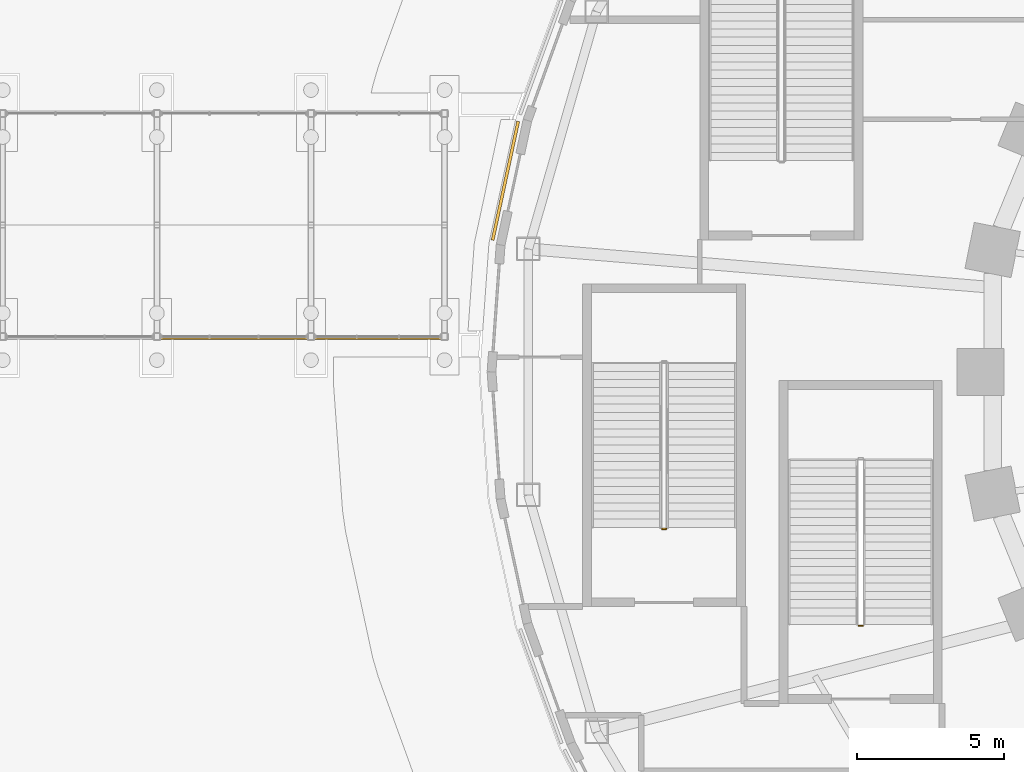
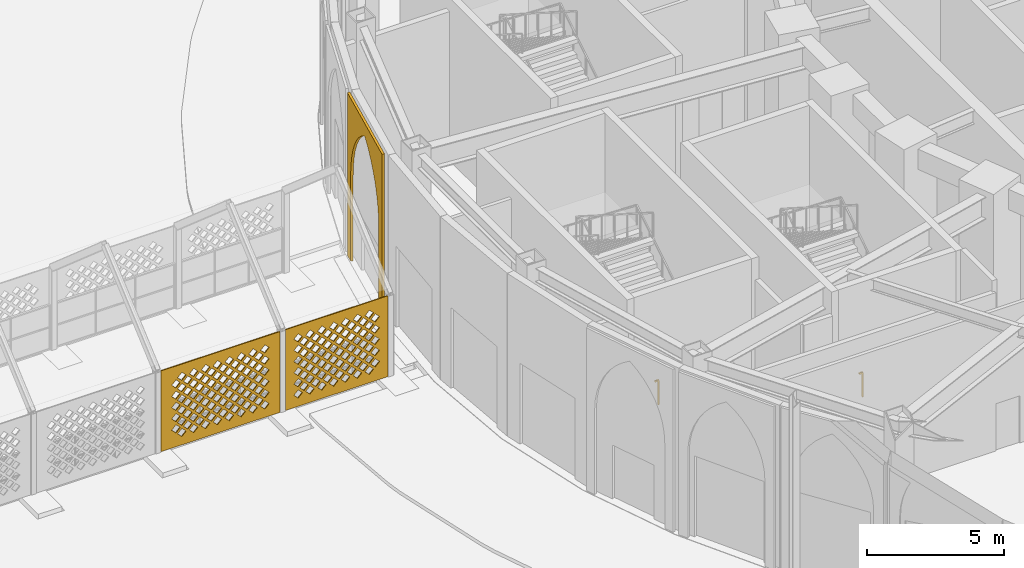
# One storey, part 64 of 79: 3 coverings, 2 railings.
"""IFC4 building model written with IfcOpenShell, lengths in metres."""

from ifc_helpers import new_model, si_unit, direction, frame, origin, origin_2d, place, context, subcontext, project, spatial, polyline, rectangle, outline, extrude, material, layer, layer_set, type_object, element, save


model = new_model("IFC4")

# Units and contexts
model_context = context("Model", 3, precision=1e-05, world=origin(), true_north=direction((0.0, 1.0)))
body_context = subcontext(model_context, "Body", "Model", "MODEL_VIEW")
ifc_project = project(units=[si_unit("LENGTHUNIT", "METRE"), si_unit("AREAUNIT", "SQUARE_METRE"), si_unit("VOLUMEUNIT", "CUBIC_METRE"), si_unit("PLANEANGLEUNIT", "RADIAN"), si_unit("MASSUNIT", "GRAM", prefix="KILO")], contexts=[model_context])

# Site, building, storey
site_placement = place(None, origin())
site = spatial("IfcSite", under=ifc_project, at=site_placement, CompositionType="ELEMENT")
building_placement = place(site_placement, origin())
building = spatial("IfcBuilding", under=site, at=building_placement, Name="Noorbagh Ring Tower", CompositionType="ELEMENT")
storey_placement = place(building_placement, origin())
storey = spatial("IfcBuildingStorey", under=building, at=storey_placement, Name="L00", CompositionType="ELEMENT", Elevation=0.0)

# Coverings
ifc_material_1 = material(Name="Red sandstone jali", Category="masonry")
ifc_layer_1 = layer(ifc_material_1, 0.0400390625)
ifc_layer_set_1 = layer_set([ifc_layer_1], Name="Red sandstone jali")
covering_type_1 = type_object("IfcCoveringType", Name="AR-JALI", PredefinedType="USERDEFINED", material=ifc_layer_set_1)
covering_1_placement = place(storey_placement, frame((-62.875, 1.110107421875, 0.0), z_axis=(0.0, -1.0, 0.0), x_axis=(1.0, 0.0, 0.0)))
element("IfcCovering", 1, at=covering_1_placement, inside=storey, type_object=covering_type_1, Name="Jali screen", ObjectType="SCREEN", PredefinedType="USERDEFINED", context=body_context, shape_type="SweptSolid", body=[
    extrude(outline(polyline([(0.0, 0.0), (5.0, 0.0), (5.0, 3.60009765625), (0.0, 3.60009765625), (0.0, 0.0)]), holes=[polyline([(0.695068359375, 0.550048828125), (0.875, 0.3701171875), (1.054931640625, 0.550048828125), (0.875, 0.72998046875), (0.695068359375, 0.550048828125)]), polyline([(1.195068359375, 0.550048828125), (1.375, 0.3701171875), (1.554931640625, 0.550048828125), (1.375, 0.72998046875), (1.195068359375, 0.550048828125)]), polyline([(1.695068359375, 0.550048828125), (1.875, 0.3701171875), (2.054931640625, 0.550048828125), (1.875, 0.72998046875), (1.695068359375, 0.550048828125)]), polyline([(2.195068359375, 0.550048828125), (2.375, 0.3701171875), (2.554931640625, 0.550048828125), (2.375, 0.72998046875), (2.195068359375, 0.550048828125)]), polyline([(2.695068359375, 0.550048828125), (2.875, 0.3701171875), (3.054931640625, 0.550048828125), (2.875, 0.72998046875), (2.695068359375, 0.550048828125)]), polyline([(3.195068359375, 0.550048828125), (3.375, 0.3701171875), (3.554931640625, 0.550048828125), (3.375, 0.72998046875), (3.195068359375, 0.550048828125)]), polyline([(3.695068359375, 0.550048828125), (3.875, 0.3701171875), (4.054931640625, 0.550048828125), (3.875, 0.72998046875), (3.695068359375, 0.550048828125)]), polyline([(4.195068359375, 0.550048828125), (4.375, 0.3701171875), (4.554931640625, 0.550048828125), (4.375, 0.72998046875), (4.195068359375, 0.550048828125)]), polyline([(0.445068359375, 0.800048828125), (0.625, 0.6201171875), (0.804931640625, 0.800048828125), (0.625, 0.97998046875), (0.445068359375, 0.800048828125)]), polyline([(0.945068359375, 0.800048828125), (1.125, 0.6201171875), (1.304931640625, 0.800048828125), (1.125, 0.97998046875), (0.945068359375, 0.800048828125)]), polyline([(1.445068359375, 0.800048828125), (1.625, 0.6201171875), (1.804931640625, 0.800048828125), (1.625, 0.97998046875), (1.445068359375, 0.800048828125)]), polyline([(1.945068359375, 0.800048828125), (2.125, 0.6201171875), (2.304931640625, 0.800048828125), (2.125, 0.97998046875), (1.945068359375, 0.800048828125)]), polyline([(2.445068359375, 0.800048828125), (2.625, 0.6201171875), (2.804931640625, 0.800048828125), (2.625, 0.97998046875), (2.445068359375, 0.800048828125)]), polyline([(2.945068359375, 0.800048828125), (3.125, 0.6201171875), (3.304931640625, 0.800048828125), (3.125, 0.97998046875), (2.945068359375, 0.800048828125)]), polyline([(3.445068359375, 0.800048828125), (3.625, 0.6201171875), (3.804931640625, 0.800048828125), (3.625, 0.97998046875), (3.445068359375, 0.800048828125)]), polyline([(3.945068359375, 0.800048828125), (4.125, 0.6201171875), (4.304931640625, 0.800048828125), (4.125, 0.97998046875), (3.945068359375, 0.800048828125)]), polyline([(0.695068359375, 1.050048828125), (0.875, 0.8701171875), (1.054931640625, 1.050048828125), (0.875, 1.22998046875), (0.695068359375, 1.050048828125)]), polyline([(1.195068359375, 1.050048828125), (1.375, 0.8701171875), (1.554931640625, 1.050048828125), (1.375, 1.22998046875), (1.195068359375, 1.050048828125)]), polyline([(1.695068359375, 1.050048828125), (1.875, 0.8701171875), (2.054931640625, 1.050048828125), (1.875, 1.22998046875), (1.695068359375, 1.050048828125)]), polyline([(2.195068359375, 1.050048828125), (2.375, 0.8701171875), (2.554931640625, 1.050048828125), (2.375, 1.22998046875), (2.195068359375, 1.050048828125)]), polyline([(2.695068359375, 1.050048828125), (2.875, 0.8701171875), (3.054931640625, 1.050048828125), (2.875, 1.22998046875), (2.695068359375, 1.050048828125)]), polyline([(3.195068359375, 1.050048828125), (3.375, 0.8701171875), (3.554931640625, 1.050048828125), (3.375, 1.22998046875), (3.195068359375, 1.050048828125)]), polyline([(3.695068359375, 1.050048828125), (3.875, 0.8701171875), (4.054931640625, 1.050048828125), (3.875, 1.22998046875), (3.695068359375, 1.050048828125)]), polyline([(4.195068359375, 1.050048828125), (4.375, 0.8701171875), (4.554931640625, 1.050048828125), (4.375, 1.22998046875), (4.195068359375, 1.050048828125)]), polyline([(0.445068359375, 1.300048828125), (0.625, 1.1201171875), (0.804931640625, 1.300048828125), (0.625, 1.47998046875), (0.445068359375, 1.300048828125)]), polyline([(0.945068359375, 1.300048828125), (1.125, 1.1201171875), (1.304931640625, 1.300048828125), (1.125, 1.47998046875), (0.945068359375, 1.300048828125)]), polyline([(1.445068359375, 1.300048828125), (1.625, 1.1201171875), (1.804931640625, 1.300048828125), (1.625, 1.47998046875), (1.445068359375, 1.300048828125)]), polyline([(1.945068359375, 1.300048828125), (2.125, 1.1201171875), (2.304931640625, 1.300048828125), (2.125, 1.47998046875), (1.945068359375, 1.300048828125)]), polyline([(2.445068359375, 1.300048828125), (2.625, 1.1201171875), (2.804931640625, 1.300048828125), (2.625, 1.47998046875), (2.445068359375, 1.300048828125)]), polyline([(2.945068359375, 1.300048828125), (3.125, 1.1201171875), (3.304931640625, 1.300048828125), (3.125, 1.47998046875), (2.945068359375, 1.300048828125)]), polyline([(3.445068359375, 1.300048828125), (3.625, 1.1201171875), (3.804931640625, 1.300048828125), (3.625, 1.47998046875), (3.445068359375, 1.300048828125)]), polyline([(3.945068359375, 1.300048828125), (4.125, 1.1201171875), (4.304931640625, 1.300048828125), (4.125, 1.47998046875), (3.945068359375, 1.300048828125)]), polyline([(0.695068359375, 1.550048828125), (0.875, 1.3701171875), (1.054931640625, 1.550048828125), (0.875, 1.72998046875), (0.695068359375, 1.550048828125)]), polyline([(1.195068359375, 1.550048828125), (1.375, 1.3701171875), (1.554931640625, 1.550048828125), (1.375, 1.72998046875), (1.195068359375, 1.550048828125)]), polyline([(1.695068359375, 1.550048828125), (1.875, 1.3701171875), (2.054931640625, 1.550048828125), (1.875, 1.72998046875), (1.695068359375, 1.550048828125)]), polyline([(2.195068359375, 1.550048828125), (2.375, 1.3701171875), (2.554931640625, 1.550048828125), (2.375, 1.72998046875), (2.195068359375, 1.550048828125)]), polyline([(2.695068359375, 1.550048828125), (2.875, 1.3701171875), (3.054931640625, 1.550048828125), (2.875, 1.72998046875), (2.695068359375, 1.550048828125)]), polyline([(3.195068359375, 1.550048828125), (3.375, 1.3701171875), (3.554931640625, 1.550048828125), (3.375, 1.72998046875), (3.195068359375, 1.550048828125)]), polyline([(3.695068359375, 1.550048828125), (3.875, 1.3701171875), (4.054931640625, 1.550048828125), (3.875, 1.72998046875), (3.695068359375, 1.550048828125)]), polyline([(4.195068359375, 1.550048828125), (4.375, 1.3701171875), (4.554931640625, 1.550048828125), (4.375, 1.72998046875), (4.195068359375, 1.550048828125)]), polyline([(0.445068359375, 1.800048828125), (0.625, 1.6201171875), (0.804931640625, 1.800048828125), (0.625, 1.97998046875), (0.445068359375, 1.800048828125)]), polyline([(0.945068359375, 1.800048828125), (1.125, 1.6201171875), (1.304931640625, 1.800048828125), (1.125, 1.97998046875), (0.945068359375, 1.800048828125)]), polyline([(1.445068359375, 1.800048828125), (1.625, 1.6201171875), (1.804931640625, 1.800048828125), (1.625, 1.97998046875), (1.445068359375, 1.800048828125)]), polyline([(1.945068359375, 1.800048828125), (2.125, 1.6201171875), (2.304931640625, 1.800048828125), (2.125, 1.97998046875), (1.945068359375, 1.800048828125)]), polyline([(2.445068359375, 1.800048828125), (2.625, 1.6201171875), (2.804931640625, 1.800048828125), (2.625, 1.97998046875), (2.445068359375, 1.800048828125)]), polyline([(2.945068359375, 1.800048828125), (3.125, 1.6201171875), (3.304931640625, 1.800048828125), (3.125, 1.97998046875), (2.945068359375, 1.800048828125)]), polyline([(3.445068359375, 1.800048828125), (3.625, 1.6201171875), (3.804931640625, 1.800048828125), (3.625, 1.97998046875), (3.445068359375, 1.800048828125)]), polyline([(3.945068359375, 1.800048828125), (4.125, 1.6201171875), (4.304931640625, 1.800048828125), (4.125, 1.97998046875), (3.945068359375, 1.800048828125)]), polyline([(0.695068359375, 2.050048828125), (0.875, 1.8701171875), (1.054931640625, 2.050048828125), (0.875, 2.22998046875), (0.695068359375, 2.050048828125)]), polyline([(1.195068359375, 2.050048828125), (1.375, 1.8701171875), (1.554931640625, 2.050048828125), (1.375, 2.22998046875), (1.195068359375, 2.050048828125)]), polyline([(1.695068359375, 2.050048828125), (1.875, 1.8701171875), (2.054931640625, 2.050048828125), (1.875, 2.22998046875), (1.695068359375, 2.050048828125)]), polyline([(2.195068359375, 2.050048828125), (2.375, 1.8701171875), (2.554931640625, 2.050048828125), (2.375, 2.22998046875), (2.195068359375, 2.050048828125)]), polyline([(2.695068359375, 2.050048828125), (2.875, 1.8701171875), (3.054931640625, 2.050048828125), (2.875, 2.22998046875), (2.695068359375, 2.050048828125)]), polyline([(3.195068359375, 2.050048828125), (3.375, 1.8701171875), (3.554931640625, 2.050048828125), (3.375, 2.22998046875), (3.195068359375, 2.050048828125)]), polyline([(3.695068359375, 2.050048828125), (3.875, 1.8701171875), (4.054931640625, 2.050048828125), (3.875, 2.22998046875), (3.695068359375, 2.050048828125)]), polyline([(4.195068359375, 2.050048828125), (4.375, 1.8701171875), (4.554931640625, 2.050048828125), (4.375, 2.22998046875), (4.195068359375, 2.050048828125)]), polyline([(0.445068359375, 2.300048828125), (0.625, 2.1201171875), (0.804931640625, 2.300048828125), (0.625, 2.47998046875), (0.445068359375, 2.300048828125)]), polyline([(0.945068359375, 2.300048828125), (1.125, 2.1201171875), (1.304931640625, 2.300048828125), (1.125, 2.47998046875), (0.945068359375, 2.300048828125)]), polyline([(1.445068359375, 2.300048828125), (1.625, 2.1201171875), (1.804931640625, 2.300048828125), (1.625, 2.47998046875), (1.445068359375, 2.300048828125)]), polyline([(1.945068359375, 2.300048828125), (2.125, 2.1201171875), (2.304931640625, 2.300048828125), (2.125, 2.47998046875), (1.945068359375, 2.300048828125)]), polyline([(2.445068359375, 2.300048828125), (2.625, 2.1201171875), (2.804931640625, 2.300048828125), (2.625, 2.47998046875), (2.445068359375, 2.300048828125)]), polyline([(2.945068359375, 2.300048828125), (3.125, 2.1201171875), (3.304931640625, 2.300048828125), (3.125, 2.47998046875), (2.945068359375, 2.300048828125)]), polyline([(3.445068359375, 2.300048828125), (3.625, 2.1201171875), (3.804931640625, 2.300048828125), (3.625, 2.47998046875), (3.445068359375, 2.300048828125)]), polyline([(3.945068359375, 2.300048828125), (4.125, 2.1201171875), (4.304931640625, 2.300048828125), (4.125, 2.47998046875), (3.945068359375, 2.300048828125)]), polyline([(0.695068359375, 2.550048828125), (0.875, 2.3701171875), (1.054931640625, 2.550048828125), (0.875, 2.72998046875), (0.695068359375, 2.550048828125)]), polyline([(1.195068359375, 2.550048828125), (1.375, 2.3701171875), (1.554931640625, 2.550048828125), (1.375, 2.72998046875), (1.195068359375, 2.550048828125)]), polyline([(1.695068359375, 2.550048828125), (1.875, 2.3701171875), (2.054931640625, 2.550048828125), (1.875, 2.72998046875), (1.695068359375, 2.550048828125)]), polyline([(2.195068359375, 2.550048828125), (2.375, 2.3701171875), (2.554931640625, 2.550048828125), (2.375, 2.72998046875), (2.195068359375, 2.550048828125)]), polyline([(2.695068359375, 2.550048828125), (2.875, 2.3701171875), (3.054931640625, 2.550048828125), (2.875, 2.72998046875), (2.695068359375, 2.550048828125)]), polyline([(3.195068359375, 2.550048828125), (3.375, 2.3701171875), (3.554931640625, 2.550048828125), (3.375, 2.72998046875), (3.195068359375, 2.550048828125)]), polyline([(3.695068359375, 2.550048828125), (3.875, 2.3701171875), (4.054931640625, 2.550048828125), (3.875, 2.72998046875), (3.695068359375, 2.550048828125)]), polyline([(4.195068359375, 2.550048828125), (4.375, 2.3701171875), (4.554931640625, 2.550048828125), (4.375, 2.72998046875), (4.195068359375, 2.550048828125)]), polyline([(0.445068359375, 2.800048828125), (0.625, 2.6201171875), (0.804931640625, 2.800048828125), (0.625, 2.97998046875), (0.445068359375, 2.800048828125)]), polyline([(0.945068359375, 2.800048828125), (1.125, 2.6201171875), (1.304931640625, 2.800048828125), (1.125, 2.97998046875), (0.945068359375, 2.800048828125)]), polyline([(1.445068359375, 2.800048828125), (1.625, 2.6201171875), (1.804931640625, 2.800048828125), (1.625, 2.97998046875), (1.445068359375, 2.800048828125)]), polyline([(1.945068359375, 2.800048828125), (2.125, 2.6201171875), (2.304931640625, 2.800048828125), (2.125, 2.97998046875), (1.945068359375, 2.800048828125)]), polyline([(2.445068359375, 2.800048828125), (2.625, 2.6201171875), (2.804931640625, 2.800048828125), (2.625, 2.97998046875), (2.445068359375, 2.800048828125)]), polyline([(2.945068359375, 2.800048828125), (3.125, 2.6201171875), (3.304931640625, 2.800048828125), (3.125, 2.97998046875), (2.945068359375, 2.800048828125)]), polyline([(3.445068359375, 2.800048828125), (3.625, 2.6201171875), (3.804931640625, 2.800048828125), (3.625, 2.97998046875), (3.445068359375, 2.800048828125)]), polyline([(3.945068359375, 2.800048828125), (4.125, 2.6201171875), (4.304931640625, 2.800048828125), (4.125, 2.97998046875), (3.945068359375, 2.800048828125)]), polyline([(0.695068359375, 3.050048828125), (0.875, 2.8701171875), (1.054931640625, 3.050048828125), (0.875, 3.22998046875), (0.695068359375, 3.050048828125)]), polyline([(1.195068359375, 3.050048828125), (1.375, 2.8701171875), (1.554931640625, 3.050048828125), (1.375, 3.22998046875), (1.195068359375, 3.050048828125)]), polyline([(1.695068359375, 3.050048828125), (1.875, 2.8701171875), (2.054931640625, 3.050048828125), (1.875, 3.22998046875), (1.695068359375, 3.050048828125)]), polyline([(2.195068359375, 3.050048828125), (2.375, 2.8701171875), (2.554931640625, 3.050048828125), (2.375, 3.22998046875), (2.195068359375, 3.050048828125)]), polyline([(2.695068359375, 3.050048828125), (2.875, 2.8701171875), (3.054931640625, 3.050048828125), (2.875, 3.22998046875), (2.695068359375, 3.050048828125)]), polyline([(3.195068359375, 3.050048828125), (3.375, 2.8701171875), (3.554931640625, 3.050048828125), (3.375, 3.22998046875), (3.195068359375, 3.050048828125)]), polyline([(3.695068359375, 3.050048828125), (3.875, 2.8701171875), (4.054931640625, 3.050048828125), (3.875, 3.22998046875), (3.695068359375, 3.050048828125)]), polyline([(4.195068359375, 3.050048828125), (4.375, 2.8701171875), (4.554931640625, 3.050048828125), (4.375, 3.22998046875), (4.195068359375, 3.050048828125)])]), origin(), (0.0, 0.0, -1.0), 0.0400390625),
])
covering_2_placement = place(storey_placement, frame((-57.625, 1.110107421875, 0.0), z_axis=(0.0, -1.0, 0.0), x_axis=(1.0, 0.0, 0.0)))
element("IfcCovering", 2, at=covering_2_placement, inside=storey, type_object=covering_type_1, Name="Jali screen", ObjectType="SCREEN", PredefinedType="USERDEFINED", context=body_context, shape_type="SweptSolid", body=[
    extrude(outline(polyline([(0.0, 0.0), (4.300048828125, 0.0), (4.300048828125, 3.60009765625), (0.0, 3.60009765625), (0.0, 0.0)]), holes=[polyline([(0.344970703125, 0.550048828125), (0.52490234375, 0.3701171875), (0.705078125, 0.550048828125), (0.52490234375, 0.72998046875), (0.344970703125, 0.550048828125)]), polyline([(0.844970703125, 0.550048828125), (1.02490234375, 0.3701171875), (1.205078125, 0.550048828125), (1.02490234375, 0.72998046875), (0.844970703125, 0.550048828125)]), polyline([(1.344970703125, 0.550048828125), (1.52490234375, 0.3701171875), (1.705078125, 0.550048828125), (1.52490234375, 0.72998046875), (1.344970703125, 0.550048828125)]), polyline([(1.844970703125, 0.550048828125), (2.02490234375, 0.3701171875), (2.205078125, 0.550048828125), (2.02490234375, 0.72998046875), (1.844970703125, 0.550048828125)]), polyline([(2.344970703125, 0.550048828125), (2.52490234375, 0.3701171875), (2.705078125, 0.550048828125), (2.52490234375, 0.72998046875), (2.344970703125, 0.550048828125)]), polyline([(2.844970703125, 0.550048828125), (3.02490234375, 0.3701171875), (3.205078125, 0.550048828125), (3.02490234375, 0.72998046875), (2.844970703125, 0.550048828125)]), polyline([(3.344970703125, 0.550048828125), (3.52490234375, 0.3701171875), (3.705078125, 0.550048828125), (3.52490234375, 0.72998046875), (3.344970703125, 0.550048828125)]), polyline([(0.594970703125, 0.800048828125), (0.77490234375, 0.6201171875), (0.955078125, 0.800048828125), (0.77490234375, 0.97998046875), (0.594970703125, 0.800048828125)]), polyline([(1.094970703125, 0.800048828125), (1.27490234375, 0.6201171875), (1.455078125, 0.800048828125), (1.27490234375, 0.97998046875), (1.094970703125, 0.800048828125)]), polyline([(1.594970703125, 0.800048828125), (1.77490234375, 0.6201171875), (1.955078125, 0.800048828125), (1.77490234375, 0.97998046875), (1.594970703125, 0.800048828125)]), polyline([(2.094970703125, 0.800048828125), (2.27490234375, 0.6201171875), (2.455078125, 0.800048828125), (2.27490234375, 0.97998046875), (2.094970703125, 0.800048828125)]), polyline([(2.594970703125, 0.800048828125), (2.77490234375, 0.6201171875), (2.955078125, 0.800048828125), (2.77490234375, 0.97998046875), (2.594970703125, 0.800048828125)]), polyline([(3.094970703125, 0.800048828125), (3.27490234375, 0.6201171875), (3.455078125, 0.800048828125), (3.27490234375, 0.97998046875), (3.094970703125, 0.800048828125)]), polyline([(3.594970703125, 0.800048828125), (3.77490234375, 0.6201171875), (3.955078125, 0.800048828125), (3.77490234375, 0.97998046875), (3.594970703125, 0.800048828125)]), polyline([(0.344970703125, 1.050048828125), (0.52490234375, 0.8701171875), (0.705078125, 1.050048828125), (0.52490234375, 1.22998046875), (0.344970703125, 1.050048828125)]), polyline([(0.844970703125, 1.050048828125), (1.02490234375, 0.8701171875), (1.205078125, 1.050048828125), (1.02490234375, 1.22998046875), (0.844970703125, 1.050048828125)]), polyline([(1.344970703125, 1.050048828125), (1.52490234375, 0.8701171875), (1.705078125, 1.050048828125), (1.52490234375, 1.22998046875), (1.344970703125, 1.050048828125)]), polyline([(1.844970703125, 1.050048828125), (2.02490234375, 0.8701171875), (2.205078125, 1.050048828125), (2.02490234375, 1.22998046875), (1.844970703125, 1.050048828125)]), polyline([(2.344970703125, 1.050048828125), (2.52490234375, 0.8701171875), (2.705078125, 1.050048828125), (2.52490234375, 1.22998046875), (2.344970703125, 1.050048828125)]), polyline([(2.844970703125, 1.050048828125), (3.02490234375, 0.8701171875), (3.205078125, 1.050048828125), (3.02490234375, 1.22998046875), (2.844970703125, 1.050048828125)]), polyline([(3.344970703125, 1.050048828125), (3.52490234375, 0.8701171875), (3.705078125, 1.050048828125), (3.52490234375, 1.22998046875), (3.344970703125, 1.050048828125)]), polyline([(0.594970703125, 1.300048828125), (0.77490234375, 1.1201171875), (0.955078125, 1.300048828125), (0.77490234375, 1.47998046875), (0.594970703125, 1.300048828125)]), polyline([(1.094970703125, 1.300048828125), (1.27490234375, 1.1201171875), (1.455078125, 1.300048828125), (1.27490234375, 1.47998046875), (1.094970703125, 1.300048828125)]), polyline([(1.594970703125, 1.300048828125), (1.77490234375, 1.1201171875), (1.955078125, 1.300048828125), (1.77490234375, 1.47998046875), (1.594970703125, 1.300048828125)]), polyline([(2.094970703125, 1.300048828125), (2.27490234375, 1.1201171875), (2.455078125, 1.300048828125), (2.27490234375, 1.47998046875), (2.094970703125, 1.300048828125)]), polyline([(2.594970703125, 1.300048828125), (2.77490234375, 1.1201171875), (2.955078125, 1.300048828125), (2.77490234375, 1.47998046875), (2.594970703125, 1.300048828125)]), polyline([(3.094970703125, 1.300048828125), (3.27490234375, 1.1201171875), (3.455078125, 1.300048828125), (3.27490234375, 1.47998046875), (3.094970703125, 1.300048828125)]), polyline([(3.594970703125, 1.300048828125), (3.77490234375, 1.1201171875), (3.955078125, 1.300048828125), (3.77490234375, 1.47998046875), (3.594970703125, 1.300048828125)]), polyline([(0.344970703125, 1.550048828125), (0.52490234375, 1.3701171875), (0.705078125, 1.550048828125), (0.52490234375, 1.72998046875), (0.344970703125, 1.550048828125)]), polyline([(0.844970703125, 1.550048828125), (1.02490234375, 1.3701171875), (1.205078125, 1.550048828125), (1.02490234375, 1.72998046875), (0.844970703125, 1.550048828125)]), polyline([(1.344970703125, 1.550048828125), (1.52490234375, 1.3701171875), (1.705078125, 1.550048828125), (1.52490234375, 1.72998046875), (1.344970703125, 1.550048828125)]), polyline([(1.844970703125, 1.550048828125), (2.02490234375, 1.3701171875), (2.205078125, 1.550048828125), (2.02490234375, 1.72998046875), (1.844970703125, 1.550048828125)]), polyline([(2.344970703125, 1.550048828125), (2.52490234375, 1.3701171875), (2.705078125, 1.550048828125), (2.52490234375, 1.72998046875), (2.344970703125, 1.550048828125)]), polyline([(2.844970703125, 1.550048828125), (3.02490234375, 1.3701171875), (3.205078125, 1.550048828125), (3.02490234375, 1.72998046875), (2.844970703125, 1.550048828125)]), polyline([(3.344970703125, 1.550048828125), (3.52490234375, 1.3701171875), (3.705078125, 1.550048828125), (3.52490234375, 1.72998046875), (3.344970703125, 1.550048828125)]), polyline([(0.594970703125, 1.800048828125), (0.77490234375, 1.6201171875), (0.955078125, 1.800048828125), (0.77490234375, 1.97998046875), (0.594970703125, 1.800048828125)]), polyline([(1.094970703125, 1.800048828125), (1.27490234375, 1.6201171875), (1.455078125, 1.800048828125), (1.27490234375, 1.97998046875), (1.094970703125, 1.800048828125)]), polyline([(1.594970703125, 1.800048828125), (1.77490234375, 1.6201171875), (1.955078125, 1.800048828125), (1.77490234375, 1.97998046875), (1.594970703125, 1.800048828125)]), polyline([(2.094970703125, 1.800048828125), (2.27490234375, 1.6201171875), (2.455078125, 1.800048828125), (2.27490234375, 1.97998046875), (2.094970703125, 1.800048828125)]), polyline([(2.594970703125, 1.800048828125), (2.77490234375, 1.6201171875), (2.955078125, 1.800048828125), (2.77490234375, 1.97998046875), (2.594970703125, 1.800048828125)]), polyline([(3.094970703125, 1.800048828125), (3.27490234375, 1.6201171875), (3.455078125, 1.800048828125), (3.27490234375, 1.97998046875), (3.094970703125, 1.800048828125)]), polyline([(3.594970703125, 1.800048828125), (3.77490234375, 1.6201171875), (3.955078125, 1.800048828125), (3.77490234375, 1.97998046875), (3.594970703125, 1.800048828125)]), polyline([(0.344970703125, 2.050048828125), (0.52490234375, 1.8701171875), (0.705078125, 2.050048828125), (0.52490234375, 2.22998046875), (0.344970703125, 2.050048828125)]), polyline([(0.844970703125, 2.050048828125), (1.02490234375, 1.8701171875), (1.205078125, 2.050048828125), (1.02490234375, 2.22998046875), (0.844970703125, 2.050048828125)]), polyline([(1.344970703125, 2.050048828125), (1.52490234375, 1.8701171875), (1.705078125, 2.050048828125), (1.52490234375, 2.22998046875), (1.344970703125, 2.050048828125)]), polyline([(1.844970703125, 2.050048828125), (2.02490234375, 1.8701171875), (2.205078125, 2.050048828125), (2.02490234375, 2.22998046875), (1.844970703125, 2.050048828125)]), polyline([(2.344970703125, 2.050048828125), (2.52490234375, 1.8701171875), (2.705078125, 2.050048828125), (2.52490234375, 2.22998046875), (2.344970703125, 2.050048828125)]), polyline([(2.844970703125, 2.050048828125), (3.02490234375, 1.8701171875), (3.205078125, 2.050048828125), (3.02490234375, 2.22998046875), (2.844970703125, 2.050048828125)]), polyline([(3.344970703125, 2.050048828125), (3.52490234375, 1.8701171875), (3.705078125, 2.050048828125), (3.52490234375, 2.22998046875), (3.344970703125, 2.050048828125)]), polyline([(0.594970703125, 2.300048828125), (0.77490234375, 2.1201171875), (0.955078125, 2.300048828125), (0.77490234375, 2.47998046875), (0.594970703125, 2.300048828125)]), polyline([(1.094970703125, 2.300048828125), (1.27490234375, 2.1201171875), (1.455078125, 2.300048828125), (1.27490234375, 2.47998046875), (1.094970703125, 2.300048828125)]), polyline([(1.594970703125, 2.300048828125), (1.77490234375, 2.1201171875), (1.955078125, 2.300048828125), (1.77490234375, 2.47998046875), (1.594970703125, 2.300048828125)]), polyline([(2.094970703125, 2.300048828125), (2.27490234375, 2.1201171875), (2.455078125, 2.300048828125), (2.27490234375, 2.47998046875), (2.094970703125, 2.300048828125)]), polyline([(2.594970703125, 2.300048828125), (2.77490234375, 2.1201171875), (2.955078125, 2.300048828125), (2.77490234375, 2.47998046875), (2.594970703125, 2.300048828125)]), polyline([(3.094970703125, 2.300048828125), (3.27490234375, 2.1201171875), (3.455078125, 2.300048828125), (3.27490234375, 2.47998046875), (3.094970703125, 2.300048828125)]), polyline([(3.594970703125, 2.300048828125), (3.77490234375, 2.1201171875), (3.955078125, 2.300048828125), (3.77490234375, 2.47998046875), (3.594970703125, 2.300048828125)]), polyline([(0.344970703125, 2.550048828125), (0.52490234375, 2.3701171875), (0.705078125, 2.550048828125), (0.52490234375, 2.72998046875), (0.344970703125, 2.550048828125)]), polyline([(0.844970703125, 2.550048828125), (1.02490234375, 2.3701171875), (1.205078125, 2.550048828125), (1.02490234375, 2.72998046875), (0.844970703125, 2.550048828125)]), polyline([(1.344970703125, 2.550048828125), (1.52490234375, 2.3701171875), (1.705078125, 2.550048828125), (1.52490234375, 2.72998046875), (1.344970703125, 2.550048828125)]), polyline([(1.844970703125, 2.550048828125), (2.02490234375, 2.3701171875), (2.205078125, 2.550048828125), (2.02490234375, 2.72998046875), (1.844970703125, 2.550048828125)]), polyline([(2.344970703125, 2.550048828125), (2.52490234375, 2.3701171875), (2.705078125, 2.550048828125), (2.52490234375, 2.72998046875), (2.344970703125, 2.550048828125)]), polyline([(2.844970703125, 2.550048828125), (3.02490234375, 2.3701171875), (3.205078125, 2.550048828125), (3.02490234375, 2.72998046875), (2.844970703125, 2.550048828125)]), polyline([(3.344970703125, 2.550048828125), (3.52490234375, 2.3701171875), (3.705078125, 2.550048828125), (3.52490234375, 2.72998046875), (3.344970703125, 2.550048828125)]), polyline([(0.594970703125, 2.800048828125), (0.77490234375, 2.6201171875), (0.955078125, 2.800048828125), (0.77490234375, 2.97998046875), (0.594970703125, 2.800048828125)]), polyline([(1.094970703125, 2.800048828125), (1.27490234375, 2.6201171875), (1.455078125, 2.800048828125), (1.27490234375, 2.97998046875), (1.094970703125, 2.800048828125)]), polyline([(1.594970703125, 2.800048828125), (1.77490234375, 2.6201171875), (1.955078125, 2.800048828125), (1.77490234375, 2.97998046875), (1.594970703125, 2.800048828125)]), polyline([(2.094970703125, 2.800048828125), (2.27490234375, 2.6201171875), (2.455078125, 2.800048828125), (2.27490234375, 2.97998046875), (2.094970703125, 2.800048828125)]), polyline([(2.594970703125, 2.800048828125), (2.77490234375, 2.6201171875), (2.955078125, 2.800048828125), (2.77490234375, 2.97998046875), (2.594970703125, 2.800048828125)]), polyline([(3.094970703125, 2.800048828125), (3.27490234375, 2.6201171875), (3.455078125, 2.800048828125), (3.27490234375, 2.97998046875), (3.094970703125, 2.800048828125)]), polyline([(3.594970703125, 2.800048828125), (3.77490234375, 2.6201171875), (3.955078125, 2.800048828125), (3.77490234375, 2.97998046875), (3.594970703125, 2.800048828125)]), polyline([(0.344970703125, 3.050048828125), (0.52490234375, 2.8701171875), (0.705078125, 3.050048828125), (0.52490234375, 3.22998046875), (0.344970703125, 3.050048828125)]), polyline([(0.844970703125, 3.050048828125), (1.02490234375, 2.8701171875), (1.205078125, 3.050048828125), (1.02490234375, 3.22998046875), (0.844970703125, 3.050048828125)]), polyline([(1.344970703125, 3.050048828125), (1.52490234375, 2.8701171875), (1.705078125, 3.050048828125), (1.52490234375, 3.22998046875), (1.344970703125, 3.050048828125)]), polyline([(1.844970703125, 3.050048828125), (2.02490234375, 2.8701171875), (2.205078125, 3.050048828125), (2.02490234375, 3.22998046875), (1.844970703125, 3.050048828125)]), polyline([(2.344970703125, 3.050048828125), (2.52490234375, 2.8701171875), (2.705078125, 3.050048828125), (2.52490234375, 3.22998046875), (2.344970703125, 3.050048828125)]), polyline([(2.844970703125, 3.050048828125), (3.02490234375, 2.8701171875), (3.205078125, 3.050048828125), (3.02490234375, 3.22998046875), (2.844970703125, 3.050048828125)]), polyline([(3.344970703125, 3.050048828125), (3.52490234375, 2.8701171875), (3.705078125, 3.050048828125), (3.52490234375, 3.22998046875), (3.344970703125, 3.050048828125)])]), origin(), (0.0, 0.0, -1.0), 0.0400390625),
])

# Railings
ifc_material_2 = material(Name="Stainless steel", Category="steel")
railing_type = type_object("IfcRailingType", Name="GND-STAIR-GUARD", PredefinedType="GUARDRAIL", material=ifc_material_2)
for number, where, name in (
    (3, (-38.949951171875, -8.64990234375, 0.0), "L00 ST-P1 stair guard"),
    (4, (-45.64990234375, -5.35009765625, 0.0), "L00 ST-P3 stair guard"),
):
    element("IfcRailing", number, at=place(storey_placement, frame(where)), inside=storey, type_object=railing_type, Name=name, PredefinedType="GUARDRAIL", context=body_context, shape_type="SweptSolid", body=[
        extrude(rectangle(XDim=0.048095703125, YDim=0.048095703125, at=origin_2d()), frame((0.0, 0.0, 1.076171875), z_axis=(-1.0, 0.0, 0.0), x_axis=(0.0, -1.0, 0.0)), (0.0, 0.0, 1.0), 0.150146484375),
        extrude(rectangle(XDim=0.0419921875, YDim=0.0419921875, at=origin_2d()), origin(), (0.0, 0.0, 1.0), 1.052001953125),
    ])

# Covering
ifc_material_3 = material(Name="Red sandstone cladding", Category="masonry")
ifc_layer_2 = layer(ifc_material_3, 0.10009765625)
ifc_layer_set_2 = layer_set([ifc_layer_2], Name="Red sandstone cladding")
covering_type_2 = type_object("IfcCoveringType", Name="STY-SPANDREL", PredefinedType="USERDEFINED", material=ifc_layer_set_2)
covering_3_placement = place(storey_placement, frame((-50.6416015625, 8.522705078125, 0.0), z_axis=(0.977596332675, -0.210488503593, 1.3984025e-05), x_axis=(-0.210488503614, -0.977596332771, -7.762e-09)))
element("IfcCovering", 5, at=covering_3_placement, inside=storey, type_object=covering_type_2, Name="Arch spandrel", ObjectType="ARCH", PredefinedType="USERDEFINED", context=body_context, shape_type="SweptSolid", body=[
    extrude(outline(polyline([(0.0, 0.0), (0.40002865486854605, 0.0), (0.4000286253736805, -3.8000488277534443), (0.42852183354544326, -4.235839845073584), (0.5137114051099314, -4.664062503873753), (0.6540625366543615, -5.077636723654302), (0.8473758006217369, -5.469482429403872), (1.0898655771924952, -5.83251954039778), (1.377797635332429, -6.160888682374205), (1.7062443891070325, -6.448974625280151), (2.069356684461554, -6.691406268485989), (2.4324689835794424, -6.448974630489233), (2.760864353031295, -6.160888695113536), (3.0488478050634664, -5.832519559242155), (3.2915762582494805, -5.469482450840285), (3.4846508573199584, -5.077636751133252), (3.6250019952844728, -4.664062533494676), (3.7101915734964384, -4.235839879878586), (3.7388720706180183, -3.8000488619791963), (3.738872100112884, -3.422575218279125e-08), (4.138713472796577, -3.828050158907882e-08), (4.138713416524201, -7.250000037571621), (-5.6272375700830646e-08, -7.24999999929112), (0.0, 0.0)])), origin(), (0.0, 0.0, -1.0), 0.10009765625),
])

save(model, "model.ifc")
